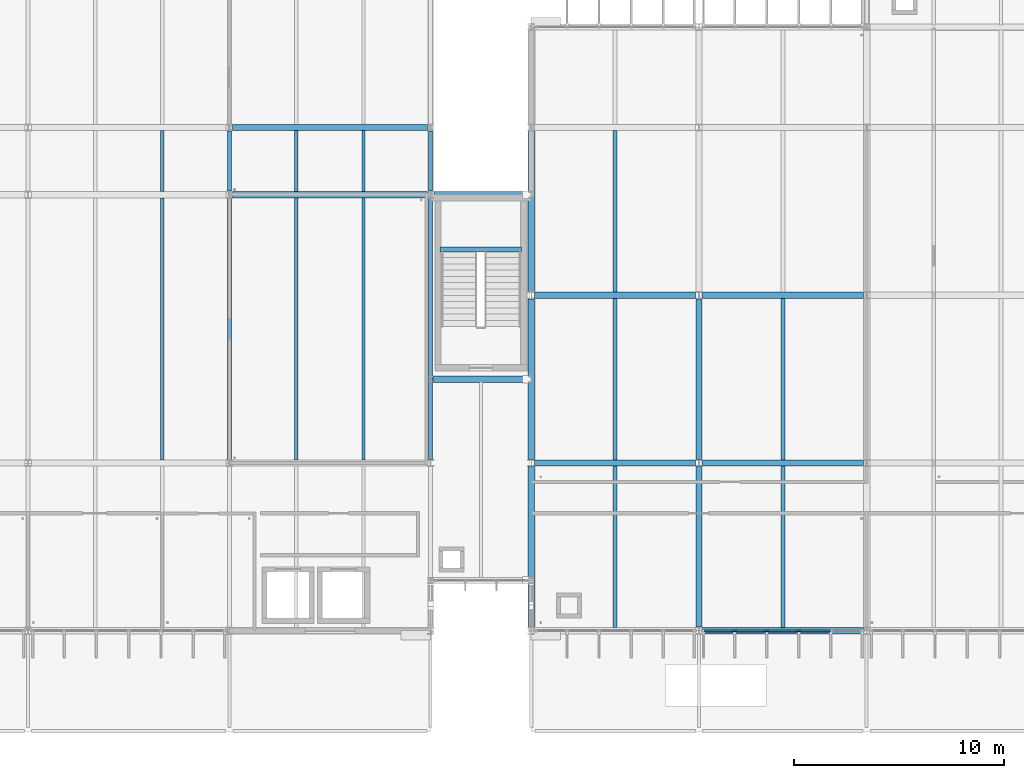
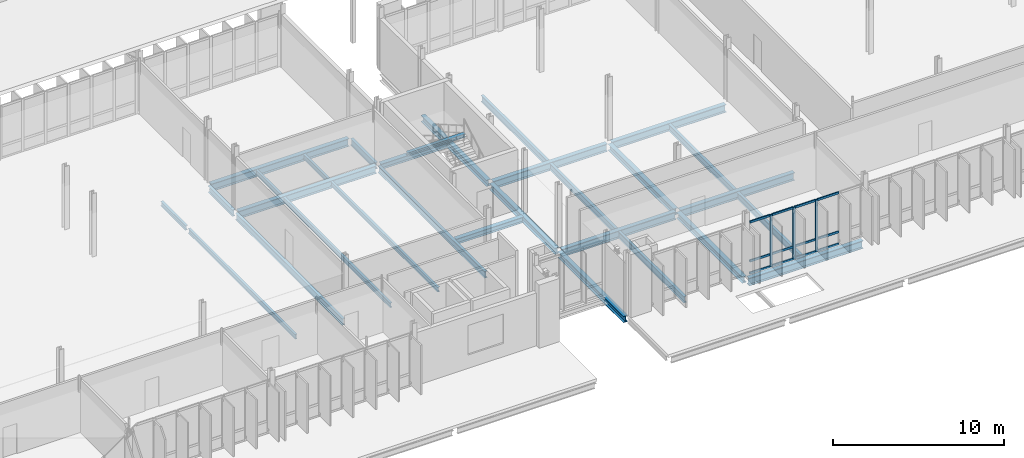
# One storey, part 27 of 107: 30 beams, 15 members, 1 element without a shape of its own.
"""IFC4 building model written with IfcOpenShell, lengths in metres."""

import ifcopenshell
import ifcopenshell.guid

model = None  # the IFC model being written
_history = None  # IfcOwnerHistory: only IFC2X3 demands one
_inside = {}  # id of a spatial element -> (the spatial element, [elements in it])
_under = {}  # id of a project, library or spatial element -> (it, [spatial elements below it])
_declared = {}  # id of a project -> (the project, [libraries it declares])
_typed = {}  # id of a type object -> (the type object, [elements of that type])
_made_of = {}  # id of a material, layer set ... -> (it, [elements and type objects made of it])


def new_model(schema):
    """Start an empty IFC model of exactly this schema.

    Asked for "IFC4X3", IfcOpenShell would pick the latest addendum, in which some entities
    have other attributes; the version numbers below select the first issue.
    IFC2X3 requires an IfcOwnerHistory on every rooted entity: one is made here for all.
    """
    global model, _history
    if schema == "IFC4X3":
        model = ifcopenshell.file(schema_version=(4, 3, 0, 0))
    else:
        model = ifcopenshell.file(schema=schema)
    _inside.clear()
    _under.clear()
    _declared.clear()
    _typed.clear()
    _made_of.clear()
    _history = None
    if model.schema == "IFC2X3":
        org = make("IfcOrganization", Name="unknown")
        user = make(
            "IfcPersonAndOrganization",
            ThePerson=make("IfcPerson", FamilyName="unknown"),
            TheOrganization=org,
        )
        app = make(
            "IfcApplication",
            ApplicationDeveloper=org,
            Version="unknown",
            ApplicationFullName="unknown",
            ApplicationIdentifier="unknown",
        )
        _history = make(
            "IfcOwnerHistory",
            OwningUser=user,
            OwningApplication=app,
            ChangeAction="ADDED",
            CreationDate=0,
        )
    return model


def make(cls, **values):
    """One entity of the class cls with the attributes given. An attribute that is None is left unset."""
    return model.create_entity(
        cls, **{name: value for name, value in values.items() if value is not None}
    )


def rooted(cls, **values):
    """An entity with a GlobalId (a new one), such as an element, a storey or a relation."""
    return make(cls, GlobalId=ifcopenshell.guid.new(), OwnerHistory=_history, **values)


def si_unit(unit_type, name, prefix=None):
    """IfcSIUnit, for example si_unit("LENGTHUNIT", "METRE", prefix="MILLI")."""
    return make("IfcSIUnit", UnitType=unit_type, Prefix=prefix, Name=name)


def assignment(units):
    """IfcUnitAssignment: the units of a project."""
    return None if units is None else make("IfcUnitAssignment", Units=units)


def point(xyz):
    """IfcCartesianPoint."""
    return None if xyz is None else make("IfcCartesianPoint", Coordinates=xyz)


def direction(xyz):
    """IfcDirection."""
    return None if xyz is None else make("IfcDirection", DirectionRatios=xyz)


def frame(location, z_axis=None, x_axis=None):
    """IfcAxis2Placement3D, a coordinate frame: its origin and axes. An axis left out is left unset."""
    return make(
        "IfcAxis2Placement3D",
        Location=point(location),
        Axis=direction(z_axis),
        RefDirection=direction(x_axis),
    )


def frame_2d(location, x_axis=None):
    """IfcAxis2Placement2D, a coordinate frame in the plane: its origin and x axis."""
    return make(
        "IfcAxis2Placement2D", Location=point(location), RefDirection=direction(x_axis)
    )


def origin():
    """The frame at (0, 0, 0) with its axes left unset."""
    return frame((0.0, 0.0, 0.0))


def origin_2d():
    """The frame at (0, 0) in the plane with its x axis left unset."""
    return frame_2d((0.0, 0.0))


def place(relative_to, where):
    """IfcLocalPlacement: puts the frame where relative to a parent placement (None: the world)."""
    return make(
        "IfcLocalPlacement", PlacementRelTo=relative_to, RelativePlacement=where
    )


def context(
    kind, dimensions, precision=None, world=None, true_north=None, identifier=None
):
    """IfcGeometricRepresentationContext, for example the 3D "Model" context."""
    return make(
        "IfcGeometricRepresentationContext",
        ContextIdentifier=identifier,
        ContextType=kind,
        CoordinateSpaceDimension=dimensions,
        Precision=precision,
        WorldCoordinateSystem=world,
        TrueNorth=true_north,
    )


def subcontext(parent, identifier, kind, view, scale=None):
    """IfcGeometricRepresentationSubContext, for example "Body" below "Model"."""
    return make(
        "IfcGeometricRepresentationSubContext",
        ContextIdentifier=identifier,
        ContextType=kind,
        ParentContext=parent,
        TargetScale=scale,
        TargetView=view,
    )


def project(units=None, contexts=None):
    """IfcProject with its units and contexts."""
    return rooted(
        "IfcProject",
        Name="project",
        RepresentationContexts=contexts,
        UnitsInContext=assignment(units),
    )


def spatial(cls, under=None, at=None, **own):
    """A site, building, storey or space (cls), placed at a placement, below another one or the project."""
    s = rooted(cls, ObjectPlacement=at, **own)
    if under is not None:
        _under.setdefault(under.id(), (under, []))[1].append(s)
    return s


def profile(cls, at=None, kind="AREA", **sizes):
    """A parametric profile (cls). Its sizes go by their IFC names, for example OverallWidth=200.0."""
    return make(cls, ProfileType=kind, Position=at, **sizes)


def rectangle(**sizes):
    """IfcRectangleProfileDef."""
    return profile("IfcRectangleProfileDef", **sizes)


def i_section(**sizes):
    """IfcIShapeProfileDef."""
    return profile("IfcIShapeProfileDef", **sizes)


def extrude(swept, where, along, depth):
    """IfcExtrudedAreaSolid: the profile swept, set in the frame where, extruded along a direction by depth."""
    return make(
        "IfcExtrudedAreaSolid",
        SweptArea=swept,
        Position=where,
        ExtrudedDirection=direction(along),
        Depth=depth,
    )


def shape(context_of_items, identifier, shape_type, items):
    """IfcShapeRepresentation: the items that make up one representation, for example the "Body"."""
    return make(
        "IfcShapeRepresentation",
        ContextOfItems=context_of_items,
        RepresentationIdentifier=identifier,
        RepresentationType=shape_type,
        Items=items,
    )


def material(Name=None, Category=None):
    """IfcMaterial."""
    return make("IfcMaterial", Name=Name, Category=Category)


def material_profile(
    of_material, cross_section, Name=None, Category=None, Priority=None
):
    """IfcMaterialProfile: a cross section and its material."""
    return make(
        "IfcMaterialProfile",
        Name=Name,
        Material=of_material,
        Profile=cross_section,
        Priority=Priority,
        Category=Category,
    )


def profile_set(profiles, Name=None, composite=None):
    """IfcMaterialProfileSet."""
    return make(
        "IfcMaterialProfileSet",
        Name=Name,
        MaterialProfiles=profiles,
        CompositeProfile=composite,
    )


def made_of(thing, what):
    """Note that an element or type object is made of a material, layer set ...; save() writes the relation."""
    if what is not None:
        _made_of.setdefault(what.id(), (what, []))[1].append(thing)
    return thing


def type_object(cls, material=None, **own):
    """A type object (cls), such as IfcWallType, which elements share."""
    return made_of(rooted(cls, **own), material)


def element(
    cls,
    number,
    at=None,
    inside=None,
    cuts=None,
    type_object=None,
    material=None,
    context=None,
    identifier="Body",
    shape_type=None,
    held_by="IfcProductDefinitionShape",
    body=None,
    shapes=None,
    **own,
):
    """One element of the class cls, such as IfcWall. Its Tag is "e" and its number.

    at: its placement. inside: the storey or other place that contains it. cuts: it is an
    opening in that element (IfcRelVoidsElement). A single representation is given by context,
    identifier, shape_type and body (its items); several are given by shapes. held_by: the class
    of the entity that holds the representations. save() writes the other relations.
    """
    e = rooted(cls, Tag="e%d" % number, ObjectPlacement=at, **own)
    if body is not None:
        shapes = [shape(context, identifier, shape_type, body)]
    if shapes is not None:
        e.Representation = make(held_by, Representations=shapes)
    if inside is not None:
        _inside.setdefault(inside.id(), (inside, []))[1].append(e)
    if cuts is not None:
        rooted(
            "IfcRelVoidsElement", RelatingBuildingElement=cuts, RelatedOpeningElement=e
        )
    if type_object is not None:
        _typed.setdefault(type_object.id(), (type_object, []))[1].append(e)
    return made_of(e, material)


def aggregate(whole, parts):
    """IfcRelAggregates: a whole, such as a stair, and the parts it consists of."""
    return rooted("IfcRelAggregates", RelatingObject=whole, RelatedObjects=parts)


def save(model, path):
    """Write the relations noted so far, then the file.

    IfcRelAggregates (storeys below a building ...), IfcRelContainedInSpatialStructure (elements
    in a storey), IfcRelDefinesByType, IfcRelAssociatesMaterial and IfcRelDeclares: one each for
    every whole, place, type object, material and project.
    """
    for whole, parts in _under.values():
        aggregate(whole, parts)
    for where, things in _inside.values():
        rooted(
            "IfcRelContainedInSpatialStructure",
            RelatedElements=things,
            RelatingStructure=where,
        )
    for kind, things in _typed.values():
        rooted("IfcRelDefinesByType", RelatedObjects=things, RelatingType=kind)
    for what, things in _made_of.values():
        rooted("IfcRelAssociatesMaterial", RelatedObjects=things, RelatingMaterial=what)
    for by, libraries in _declared.values():
        rooted("IfcRelDeclares", RelatingContext=by, RelatedDefinitions=libraries)
    model.write(path)


model = new_model("IFC4")

# Units and contexts
model_context = context("Model", 3, precision=1e-05, world=origin(), true_north=direction((0.0, 1.0)))
body_context = subcontext(model_context, "Body", "Model", "MODEL_VIEW")
ifc_project = project(units=[si_unit("LENGTHUNIT", "METRE"), si_unit("AREAUNIT", "SQUARE_METRE"), si_unit("VOLUMEUNIT", "CUBIC_METRE"), si_unit("PLANEANGLEUNIT", "RADIAN"), si_unit("MASSUNIT", "GRAM", prefix="KILO")], contexts=[model_context])

# Site, building, storey
site_placement = place(None, origin())
site = spatial("IfcSite", under=ifc_project, at=site_placement, CompositionType="ELEMENT")
building_placement = place(site_placement, origin())
building = spatial("IfcBuilding", under=site, at=building_placement, Name="Dunescarp Central Library", CompositionType="ELEMENT")
storey_placement = place(building_placement, frame((0.0, 0.0, 5.10009765625)))
storey = spatial("IfcBuildingStorey", under=building, at=storey_placement, Name="L01", CompositionType="ELEMENT", Elevation=5.10009765625)

# Curtain wall, members
ifc_material_1 = material(Name="Marine-grade anodised aluminium 6063-T6", Category="aluminium")
curtain_wall_type = type_object("IfcCurtainWallType", Name="ARC-CW-STICK", PredefinedType="NOTDEFINED", material=ifc_material_1)
curtain_wall_placement = place(storey_placement, origin())
curtain_wall = element("IfcCurtainWall", 1, at=curtain_wall_placement, inside=storey, type_object=curtain_wall_type, Name="L01 curtain wall CW-V3-085", PredefinedType="NOTDEFINED")
ifc_material_profile_1 = material_profile(ifc_material_1, rectangle(XDim=0.080078125, YDim=0.179931640625, at=origin_2d()), Name="AL 80x180")
ifc_profile_set_1 = profile_set([ifc_material_profile_1], Name="Marine-grade anodised aluminium 6063-T6")
member_type_1 = type_object("IfcMemberType", Name="ARC-CWM-180", PredefinedType="MULLION", material=ifc_profile_set_1)
member_1_placement = place(storey_placement, frame((94.364990234375, 4.800048828125, 0.0), z_axis=(0.0, 0.0, 1.0), x_axis=(0.0, -1.0, 0.0)))
member_1 = element("IfcMember", 2, at=member_1_placement, type_object=member_type_1, Name="CW-V3-085 mullion 3", PredefinedType="MULLION", context=body_context, shape_type="SweptSolid", body=[
    extrude(rectangle(XDim=0.080078125, YDim=0.179931640625, at=origin_2d()), origin(), (0.0, 0.0, 1.0), 3.71484375),
])
member_2_placement = place(storey_placement, frame((92.8349609375, 4.800048828125, 0.0), z_axis=(0.0, 0.0, 1.0), x_axis=(0.0, -1.0, 0.0)))
member_2 = element("IfcMember", 3, at=member_2_placement, type_object=member_type_1, Name="CW-V3-085 mullion 4", PredefinedType="MULLION", context=body_context, shape_type="SweptSolid", body=[
    extrude(rectangle(XDim=0.080078125, YDim=0.179931640625, at=origin_2d()), origin(), (0.0, 0.0, 1.0), 3.71484375),
])
member_3_placement = place(storey_placement, frame((91.304931640625, 4.800048828125, 0.0), z_axis=(0.0, 0.0, 1.0), x_axis=(0.0, -1.0, 0.0)))
member_3 = element("IfcMember", 4, at=member_3_placement, type_object=member_type_1, Name="CW-V3-085 mullion 5", PredefinedType="MULLION", context=body_context, shape_type="SweptSolid", body=[
    extrude(rectangle(XDim=0.080078125, YDim=0.179931640625, at=origin_2d()), origin(), (0.0, 0.0, 1.0), 3.71484375),
])
ifc_material_profile_2 = material_profile(ifc_material_1, rectangle(XDim=0.080078125, YDim=0.14990234375, at=origin_2d()), Name="AL 80x150")
ifc_profile_set_2 = profile_set([ifc_material_profile_2], Name="Marine-grade anodised aluminium 6063-T6")
member_type_2 = type_object("IfcMemberType", Name="ARC-CWT-150", PredefinedType="USERDEFINED", material=ifc_profile_set_2)
member_4_placement = place(storey_placement, frame((95.85498046875, 4.800048828125, 0.039794921875), z_axis=(-1.0, 0.0, 0.0), x_axis=(0.0, -1.0, 0.0)))
member_4 = element("IfcMember", 5, at=member_4_placement, type_object=member_type_2, Name="CW-V3-085 transom 2.1", ObjectType="TRANSOM", PredefinedType="USERDEFINED", context=body_context, shape_type="SweptSolid", body=[
    extrude(rectangle(XDim=0.080078125, YDim=0.14990234375, at=origin_2d()), origin(), (0.0, 0.0, 1.0), 1.449951171875),
])
member_5_placement = place(storey_placement, frame((95.85498046875, 4.800048828125, 0.89990234375), z_axis=(-1.0, 0.0, 0.0), x_axis=(0.0, -1.0, 0.0)))
member_5 = element("IfcMember", 6, at=member_5_placement, type_object=member_type_2, Name="CW-V3-085 transom 2.2", ObjectType="TRANSOM", PredefinedType="USERDEFINED", context=body_context, shape_type="SweptSolid", body=[
    extrude(rectangle(XDim=0.080078125, YDim=0.14990234375, at=origin_2d()), origin(), (0.0, 0.0, 1.0), 1.449951171875),
])
member_6_placement = place(storey_placement, frame((95.85498046875, 4.800048828125, 3.6748046875), z_axis=(-1.0, 0.0, 0.0), x_axis=(0.0, -1.0, 0.0)))
member_6 = element("IfcMember", 7, at=member_6_placement, type_object=member_type_2, Name="CW-V3-085 transom 2.3", ObjectType="TRANSOM", PredefinedType="USERDEFINED", context=body_context, shape_type="SweptSolid", body=[
    extrude(rectangle(XDim=0.080078125, YDim=0.14990234375, at=origin_2d()), origin(), (0.0, 0.0, 1.0), 1.449951171875),
])
member_7_placement = place(storey_placement, frame((94.324951171875, 4.800048828125, 0.039794921875), z_axis=(-1.0, 0.0, 0.0), x_axis=(0.0, -1.0, 0.0)))
member_7 = element("IfcMember", 8, at=member_7_placement, type_object=member_type_2, Name="CW-V3-085 transom 3.1", ObjectType="TRANSOM", PredefinedType="USERDEFINED", context=body_context, shape_type="SweptSolid", body=[
    extrude(rectangle(XDim=0.080078125, YDim=0.14990234375, at=origin_2d()), origin(), (0.0, 0.0, 1.0), 1.449951171875),
])
member_8_placement = place(storey_placement, frame((94.324951171875, 4.800048828125, 0.89990234375), z_axis=(-1.0, 0.0, 0.0), x_axis=(0.0, -1.0, 0.0)))
member_8 = element("IfcMember", 9, at=member_8_placement, type_object=member_type_2, Name="CW-V3-085 transom 3.2", ObjectType="TRANSOM", PredefinedType="USERDEFINED", context=body_context, shape_type="SweptSolid", body=[
    extrude(rectangle(XDim=0.080078125, YDim=0.14990234375, at=origin_2d()), origin(), (0.0, 0.0, 1.0), 1.449951171875),
])
member_9_placement = place(storey_placement, frame((94.324951171875, 4.800048828125, 3.6748046875), z_axis=(-1.0, 0.0, 0.0), x_axis=(0.0, -1.0, 0.0)))
member_9 = element("IfcMember", 10, at=member_9_placement, type_object=member_type_2, Name="CW-V3-085 transom 3.3", ObjectType="TRANSOM", PredefinedType="USERDEFINED", context=body_context, shape_type="SweptSolid", body=[
    extrude(rectangle(XDim=0.080078125, YDim=0.14990234375, at=origin_2d()), origin(), (0.0, 0.0, 1.0), 1.449951171875),
])
member_10_placement = place(storey_placement, frame((92.794921875, 4.800048828125, 0.039794921875), z_axis=(-1.0, 0.0, 0.0), x_axis=(0.0, -1.0, 0.0)))
member_10 = element("IfcMember", 11, at=member_10_placement, type_object=member_type_2, Name="CW-V3-085 transom 4.1", ObjectType="TRANSOM", PredefinedType="USERDEFINED", context=body_context, shape_type="SweptSolid", body=[
    extrude(rectangle(XDim=0.080078125, YDim=0.14990234375, at=origin_2d()), origin(), (0.0, 0.0, 1.0), 1.449951171875),
])
member_11_placement = place(storey_placement, frame((92.794921875, 4.800048828125, 0.89990234375), z_axis=(-1.0, 0.0, 0.0), x_axis=(0.0, -1.0, 0.0)))
member_11 = element("IfcMember", 12, at=member_11_placement, type_object=member_type_2, Name="CW-V3-085 transom 4.2", ObjectType="TRANSOM", PredefinedType="USERDEFINED", context=body_context, shape_type="SweptSolid", body=[
    extrude(rectangle(XDim=0.080078125, YDim=0.14990234375, at=origin_2d()), origin(), (0.0, 0.0, 1.0), 1.449951171875),
])
member_12_placement = place(storey_placement, frame((92.794921875, 4.800048828125, 3.6748046875), z_axis=(-1.0, 0.0, 0.0), x_axis=(0.0, -1.0, 0.0)))
member_12 = element("IfcMember", 13, at=member_12_placement, type_object=member_type_2, Name="CW-V3-085 transom 4.3", ObjectType="TRANSOM", PredefinedType="USERDEFINED", context=body_context, shape_type="SweptSolid", body=[
    extrude(rectangle(XDim=0.080078125, YDim=0.14990234375, at=origin_2d()), origin(), (0.0, 0.0, 1.0), 1.449951171875),
])
member_13_placement = place(storey_placement, frame((91.264892578125, 4.800048828125, 0.039794921875), z_axis=(-1.0, 0.0, 0.0), x_axis=(0.0, -1.0, 0.0)))
member_13 = element("IfcMember", 14, at=member_13_placement, type_object=member_type_2, Name="CW-V3-085 transom 5.1", ObjectType="TRANSOM", PredefinedType="USERDEFINED", context=body_context, shape_type="SweptSolid", body=[
    extrude(rectangle(XDim=0.080078125, YDim=0.14990234375, at=origin_2d()), origin(), (0.0, 0.0, 1.0), 1.409912109375),
])
member_14_placement = place(storey_placement, frame((91.264892578125, 4.800048828125, 0.89990234375), z_axis=(-1.0, 0.0, 0.0), x_axis=(0.0, -1.0, 0.0)))
member_14 = element("IfcMember", 15, at=member_14_placement, type_object=member_type_2, Name="CW-V3-085 transom 5.2", ObjectType="TRANSOM", PredefinedType="USERDEFINED", context=body_context, shape_type="SweptSolid", body=[
    extrude(rectangle(XDim=0.080078125, YDim=0.14990234375, at=origin_2d()), origin(), (0.0, 0.0, 1.0), 1.409912109375),
])
member_15_placement = place(storey_placement, frame((91.264892578125, 4.800048828125, 3.6748046875), z_axis=(-1.0, 0.0, 0.0), x_axis=(0.0, -1.0, 0.0)))
member_15 = element("IfcMember", 16, at=member_15_placement, type_object=member_type_2, Name="CW-V3-085 transom 5.3", ObjectType="TRANSOM", PredefinedType="USERDEFINED", context=body_context, shape_type="SweptSolid", body=[
    extrude(rectangle(XDim=0.080078125, YDim=0.14990234375, at=origin_2d()), origin(), (0.0, 0.0, 1.0), 1.409912109375),
])
aggregate(curtain_wall, [member_1, member_2, member_3, member_4, member_5, member_6, member_7, member_8, member_9, member_10, member_11, member_12, member_13, member_14, member_15])

# Beams
ifc_material_2 = material(Name="Steel S355JR", Category="steel")
ifc_material_profile_3 = material_profile(ifc_material_2, i_section(OverallWidth=0.300048828125, OverallDepth=0.389892578125, WebThickness=0.010986328125, FlangeThickness=0.01904296875, at=origin_2d()), Name="HEA 400")
ifc_profile_set_3 = profile_set([ifc_material_profile_3], Name="Steel S355JR")
beam_type_1 = type_object("IfcBeamType", Name="STR-BM-HEA400", PredefinedType="BEAM", material=ifc_profile_set_3)
beam_1_placement = place(storey_placement, frame((76.927978515625, 16.800048828125, -0.4150390625), z_axis=(1.0, 0.0, 0.0), x_axis=(0.0, 1.0, 0.0)))
element("IfcBeam", 17, at=beam_1_placement, inside=storey, type_object=beam_type_1, Name="L01 girder BM-L01-1242", PredefinedType="BEAM", context=body_context, shape_type="SweptSolid", body=[
    extrude(i_section(OverallWidth=0.300048828125, OverallDepth=0.389892578125, WebThickness=0.010986328125, FlangeThickness=0.01904296875, at=origin_2d()), origin(), (0.0, 0.0, 1.0), 4.5439453125),
])
beam_2_placement = place(storey_placement, frame((76.9541015625, 25.60009765625, -0.4150390625), z_axis=(1.0, 0.0, 0.0), x_axis=(0.0, 1.0, 0.0)))
element("IfcBeam", 18, at=beam_2_placement, inside=storey, type_object=beam_type_1, Name="L01 girder BM-L01-1244", PredefinedType="BEAM", context=body_context, shape_type="SweptSolid", body=[
    extrude(i_section(OverallWidth=0.300048828125, OverallDepth=0.389892578125, WebThickness=0.010986328125, FlangeThickness=0.01904296875, at=origin_2d()), origin(), (0.0, 0.0, 1.0), 4.517822265625),
])
ifc_material_profile_4 = material_profile(ifc_material_2, i_section(OverallWidth=0.300048828125, OverallDepth=0.449951171875, WebThickness=0.013916015625, FlangeThickness=0.02587890625, at=origin_2d()), Name="HEB 450")
ifc_profile_set_4 = profile_set([ifc_material_profile_4], Name="Steel S355JR")
beam_type_2 = type_object("IfcBeamType", Name="STR-BM-HEB450", PredefinedType="BEAM", material=ifc_profile_set_4)
for number, where, z_axis, x_axis, name in (
    (19, (81.60009765625, 4.967041015625, -0.445068359375), (0.0, 1.0, 0.0), (-1.0, 0.0, 0.0), "L01 girder BM-L01-0657"),
    (20, (89.60009765625, 4.967041015625, -0.445068359375), (0.0, 1.0, 0.0), (-1.0, 0.0, 0.0), "L01 girder BM-L01-0658"),
    (21, (81.60009765625, 12.967041015625, -0.445068359375), (0.0, 1.0, 0.0), (-1.0, 0.0, 0.0), "L01 girder BM-L01-0661"),
    (22, (89.60009765625, 12.967041015625, -0.445068359375), (0.0, 1.0, 0.0), (-1.0, 0.0, 0.0), "L01 girder BM-L01-0662"),
    (23, (81.60009765625, 20.967041015625, -0.445068359375), (0.0, 1.0, 0.0), (-1.0, 0.0, 0.0), "L01 girder BM-L01-0665"),
):
    element("IfcBeam", number, at=place(storey_placement, frame(where, z_axis=z_axis, x_axis=x_axis)), inside=storey, type_object=beam_type_2, Name=name, PredefinedType="BEAM", context=body_context, shape_type="SweptSolid", body=[
        extrude(i_section(OverallWidth=0.300048828125, OverallDepth=0.449951171875, WebThickness=0.013916015625, FlangeThickness=0.02587890625, at=origin_2d()), origin(), (0.0, 0.0, 1.0), 7.666015625),
    ])
ifc_material_profile_5 = material_profile(ifc_material_2, i_section(OverallWidth=0.300048828125, OverallDepth=0.550048828125, WebThickness=0.014892578125, FlangeThickness=0.029052734375, at=origin_2d()), Name="HEB 550")
ifc_profile_set_5 = profile_set([ifc_material_profile_5], Name="Steel S355JR")
beam_type_3 = type_object("IfcBeamType", Name="STR-BM-HEB550", PredefinedType="BEAM", material=ifc_profile_set_5)
for number, where, z_axis, x_axis, name in (
    (24, (81.75390625, 12.800048828125, -0.4951171875), (1.0, 0.0, 0.0), (0.0, 1.0, 0.0), "L01 girder BM-L01-0656"),
    (25, (81.75390625, 20.800048828125, -0.4951171875), (1.0, 0.0, 0.0), (0.0, 1.0, 0.0), "L01 girder BM-L01-0660"),
    (26, (89.75390625, 4.800048828125, -0.4951171875), (1.0, 0.0, 0.0), (0.0, 1.0, 0.0), "L01 girder BM-L01-0672"),
    (27, (89.75390625, 12.800048828125, -0.4951171875), (1.0, 0.0, 0.0), (0.0, 1.0, 0.0), "L01 girder BM-L01-0673"),
    (28, (89.75390625, 20.800048828125, -0.4951171875), (1.0, 0.0, 0.0), (0.0, 1.0, 0.0), "L01 girder BM-L01-0676"),
):
    element("IfcBeam", number, at=place(storey_placement, frame(where, z_axis=z_axis, x_axis=x_axis)), inside=storey, type_object=beam_type_3, Name=name, PredefinedType="BEAM", context=body_context, shape_type="SweptSolid", body=[
        extrude(i_section(OverallWidth=0.300048828125, OverallDepth=0.550048828125, WebThickness=0.014892578125, FlangeThickness=0.029052734375, at=origin_2d()), origin(), (0.0, 0.0, 1.0), 7.692138671875),
    ])
ifc_material_profile_6 = material_profile(ifc_material_2, i_section(OverallWidth=0.19287109375, OverallDepth=0.46728515625, WebThickness=0.011474609375, FlangeThickness=0.01953125, at=origin_2d()), Name="UB 457x191x98")
ifc_profile_set_6 = profile_set([ifc_material_profile_6], Name="Steel S355JR")
beam_type_4 = type_object("IfcBeamType", Name="STR-BM-IPE450", PredefinedType="BEAM", material=ifc_profile_set_6)
beam_3_placement = place(storey_placement, frame((67.199951171875, 12.967041015625, -0.4541015625), z_axis=(0.0, 1.0, 0.0), x_axis=(-1.0, 0.0, 0.0)))
element("IfcBeam", 29, at=beam_3_placement, inside=storey, type_object=beam_type_4, Name="L01 girder BM-L01-0375", PredefinedType="BEAM", context=body_context, shape_type="SweptSolid", body=[
    extrude(i_section(OverallWidth=0.19287109375, OverallDepth=0.46728515625, WebThickness=0.011474609375, FlangeThickness=0.01953125, at=origin_2d()), origin(), (0.0, 0.0, 1.0), 12.466064453125),
])
beam_4_placement = place(storey_placement, frame((67.199951171875, 25.76708984375, -0.4541015625), z_axis=(0.0, 1.0, 0.0), x_axis=(-1.0, 0.0, 0.0)))
element("IfcBeam", 30, at=beam_4_placement, inside=storey, type_object=beam_type_4, Name="L01 girder BM-L01-0379", PredefinedType="BEAM", context=body_context, shape_type="SweptSolid", body=[
    extrude(i_section(OverallWidth=0.19287109375, OverallDepth=0.46728515625, WebThickness=0.011474609375, FlangeThickness=0.01953125, at=origin_2d()), origin(), (0.0, 0.0, 1.0), 2.871826171875),
])
beam_5_placement = place(storey_placement, frame((76.800048828125, 12.967041015625, -0.4541015625), z_axis=(0.0, 1.0, 0.0), x_axis=(-1.0, 0.0, 0.0)))
element("IfcBeam", 31, at=beam_5_placement, inside=storey, type_object=beam_type_4, Name="L01 girder BM-L01-0392", PredefinedType="BEAM", context=body_context, shape_type="SweptSolid", body=[
    extrude(i_section(OverallWidth=0.19287109375, OverallDepth=0.46728515625, WebThickness=0.011474609375, FlangeThickness=0.01953125, at=origin_2d()), origin(), (0.0, 0.0, 1.0), 12.466064453125),
])
beam_6_placement = place(storey_placement, frame((76.800048828125, 25.76708984375, -0.4541015625), z_axis=(0.0, 1.0, 0.0), x_axis=(-1.0, 0.0, 0.0)))
element("IfcBeam", 32, at=beam_6_placement, inside=storey, type_object=beam_type_4, Name="L01 girder BM-L01-0396", PredefinedType="BEAM", context=body_context, shape_type="SweptSolid", body=[
    extrude(i_section(OverallWidth=0.19287109375, OverallDepth=0.46728515625, WebThickness=0.011474609375, FlangeThickness=0.01953125, at=origin_2d()), origin(), (0.0, 0.0, 1.0), 2.871826171875),
])
ifc_material_profile_7 = material_profile(ifc_material_2, i_section(OverallWidth=0.300048828125, OverallDepth=0.5400390625, WebThickness=0.012451171875, FlangeThickness=0.02392578125, at=origin_2d()), Name="HEA 550")
ifc_profile_set_7 = profile_set([ifc_material_profile_7], Name="Steel S355JR")
beam_type_5 = type_object("IfcBeamType", Name="STR-BM-IPE500", PredefinedType="BEAM", material=ifc_profile_set_7)
beam_7_placement = place(storey_placement, frame((67.35400390625, 25.60009765625, -0.489990234375), z_axis=(1.0, 0.0, 0.0), x_axis=(0.0, 1.0, 0.0)))
element("IfcBeam", 33, at=beam_7_placement, inside=storey, type_object=beam_type_5, Name="L01 girder BM-L01-0391", PredefinedType="BEAM", context=body_context, shape_type="SweptSolid", body=[
    extrude(i_section(OverallWidth=0.300048828125, OverallDepth=0.5400390625, WebThickness=0.012451171875, FlangeThickness=0.02392578125, at=origin_2d()), origin(), (0.0, 0.0, 1.0), 9.2919921875),
])
beam_8_placement = place(storey_placement, frame((67.35302734375, 28.800048828125, -0.489990234375), z_axis=(1.0, 0.0, 0.0), x_axis=(0.0, 1.0, 0.0)))
element("IfcBeam", 34, at=beam_8_placement, inside=storey, type_object=beam_type_5, Name="L01 girder BM-L01-0395", PredefinedType="BEAM", context=body_context, shape_type="SweptSolid", body=[
    extrude(i_section(OverallWidth=0.300048828125, OverallDepth=0.5400390625, WebThickness=0.012451171875, FlangeThickness=0.02392578125, at=origin_2d()), origin(), (0.0, 0.0, 1.0), 9.2939453125),
])
ifc_material_profile_8 = material_profile(ifc_material_2, i_section(OverallWidth=0.239990234375, OverallDepth=0.22998046875, WebThickness=0.007568359375, FlangeThickness=0.011962890625, at=origin_2d()), Name="HEA 240")
ifc_profile_set_8 = profile_set([ifc_material_profile_8], Name="Steel S355JR")
beam_type_6 = type_object("IfcBeamType", Name="STR-JS-HEA240", PredefinedType="JOIST", material=ifc_profile_set_8)
beam_9_placement = place(storey_placement, frame((77.260009765625, 22.97998046875, 1.934814453125), z_axis=(1.0, 0.0, 0.0), x_axis=(0.0, 1.0, 0.0)))
element("IfcBeam", 35, at=beam_9_placement, inside=storey, type_object=beam_type_6, Name="L01 ST-3 landing trimmer beam BM-ST-020", PredefinedType="BEAM", context=body_context, shape_type="SweptSolid", body=[
    extrude(i_section(OverallWidth=0.239990234375, OverallDepth=0.22998046875, WebThickness=0.007568359375, FlangeThickness=0.011962890625, at=origin_2d()), origin(), (0.0, 0.0, 1.0), 3.8798828125),
])
ifc_material_profile_9 = material_profile(ifc_material_2, i_section(OverallWidth=0.159912109375, OverallDepth=0.330078125, WebThickness=0.007568359375, FlangeThickness=0.011474609375, at=origin_2d()), Name="IPE 330")
ifc_profile_set_9 = profile_set([ifc_material_profile_9], Name="Steel S355JR")
beam_type_7 = type_object("IfcBeamType", Name="STR-JS-IPE330", PredefinedType="JOIST", material=ifc_profile_set_9)
beam_10_placement = place(storey_placement, frame((64.0, 12.947998046875, -0.385009765625), z_axis=(0.0, 1.0, 0.0), x_axis=(-1.0, 0.0, 0.0)))
element("IfcBeam", 36, at=beam_10_placement, inside=storey, type_object=beam_type_7, Name="L01 joist JS-L01-0377", PredefinedType="JOIST", context=body_context, shape_type="SweptSolid", body=[
    extrude(i_section(OverallWidth=0.159912109375, OverallDepth=0.330078125, WebThickness=0.007568359375, FlangeThickness=0.011474609375, at=origin_2d()), origin(), (0.0, 0.0, 1.0), 12.50390625),
])
beam_11_placement = place(storey_placement, frame((64.0, 25.748046875, -0.385009765625), z_axis=(0.0, 1.0, 0.0), x_axis=(-1.0, 0.0, 0.0)))
element("IfcBeam", 37, at=beam_11_placement, inside=storey, type_object=beam_type_7, Name="L01 joist JS-L01-0381", PredefinedType="JOIST", context=body_context, shape_type="SweptSolid", body=[
    extrude(i_section(OverallWidth=0.159912109375, OverallDepth=0.330078125, WebThickness=0.007568359375, FlangeThickness=0.011474609375, at=origin_2d()), origin(), (0.0, 0.0, 1.0), 2.904052734375),
])
for number, where, z_axis, x_axis, name in (
    (38, (70.39990234375, 12.947998046875, -0.385009765625), (0.0, 1.0, 0.0), (-1.0, 0.0, 0.0), "L01 joist JS-L01-0393"),
    (39, (73.60009765625, 12.947998046875, -0.385009765625), (0.0, 1.0, 0.0), (-1.0, 0.0, 0.0), "L01 joist JS-L01-0394"),
):
    element("IfcBeam", number, at=place(storey_placement, frame(where, z_axis=z_axis, x_axis=x_axis)), inside=storey, type_object=beam_type_7, Name=name, PredefinedType="JOIST", context=body_context, shape_type="SweptSolid", body=[
        extrude(i_section(OverallWidth=0.159912109375, OverallDepth=0.330078125, WebThickness=0.007568359375, FlangeThickness=0.011474609375, at=origin_2d()), origin(), (0.0, 0.0, 1.0), 12.50390625),
    ])
for number, where, z_axis, x_axis, name in (
    (40, (70.39990234375, 25.748046875, -0.385009765625), (0.0, 1.0, 0.0), (-1.0, 0.0, 0.0), "L01 joist JS-L01-0397"),
    (41, (73.60009765625, 25.748046875, -0.385009765625), (0.0, 1.0, 0.0), (-1.0, 0.0, 0.0), "L01 joist JS-L01-0398"),
):
    element("IfcBeam", number, at=place(storey_placement, frame(where, z_axis=z_axis, x_axis=x_axis)), inside=storey, type_object=beam_type_7, Name=name, PredefinedType="JOIST", context=body_context, shape_type="SweptSolid", body=[
        extrude(i_section(OverallWidth=0.159912109375, OverallDepth=0.330078125, WebThickness=0.007568359375, FlangeThickness=0.011474609375, at=origin_2d()), origin(), (0.0, 0.0, 1.0), 2.904052734375),
    ])
ifc_material_profile_10 = material_profile(ifc_material_2, i_section(OverallWidth=0.18994140625, OverallDepth=0.449951171875, WebThickness=0.009521484375, FlangeThickness=0.0146484375, at=origin_2d()), Name="IPE 450")
ifc_profile_set_10 = profile_set([ifc_material_profile_10], Name="Steel S355JR")
beam_type_8 = type_object("IfcBeamType", Name="STR-JS-IPE450", PredefinedType="JOIST", material=ifc_profile_set_10)
for number, where, z_axis, x_axis, name in (
    (42, (85.60009765625, 4.947998046875, -0.445068359375), (0.0, 1.0, 0.0), (-1.0, 0.0, 0.0), "L01 joist JS-L01-0659"),
    (43, (85.60009765625, 12.947998046875, -0.445068359375), (0.0, 1.0, 0.0), (-1.0, 0.0, 0.0), "L01 joist JS-L01-0663"),
    (44, (85.60009765625, 20.947998046875, -0.445068359375), (0.0, 1.0, 0.0), (-1.0, 0.0, 0.0), "L01 joist JS-L01-0667"),
    (45, (93.60009765625, 4.947998046875, -0.445068359375), (0.0, 1.0, 0.0), (-1.0, 0.0, 0.0), "L01 joist JS-L01-0675"),
    (46, (93.60009765625, 12.947998046875, -0.445068359375), (0.0, 1.0, 0.0), (-1.0, 0.0, 0.0), "L01 joist JS-L01-0678"),
):
    element("IfcBeam", number, at=place(storey_placement, frame(where, z_axis=z_axis, x_axis=x_axis)), inside=storey, type_object=beam_type_8, Name=name, PredefinedType="JOIST", context=body_context, shape_type="SweptSolid", body=[
        extrude(i_section(OverallWidth=0.18994140625, OverallDepth=0.449951171875, WebThickness=0.009521484375, FlangeThickness=0.0146484375, at=origin_2d()), origin(), (0.0, 0.0, 1.0), 7.7041015625),
    ])

save(model, "model.ifc")
